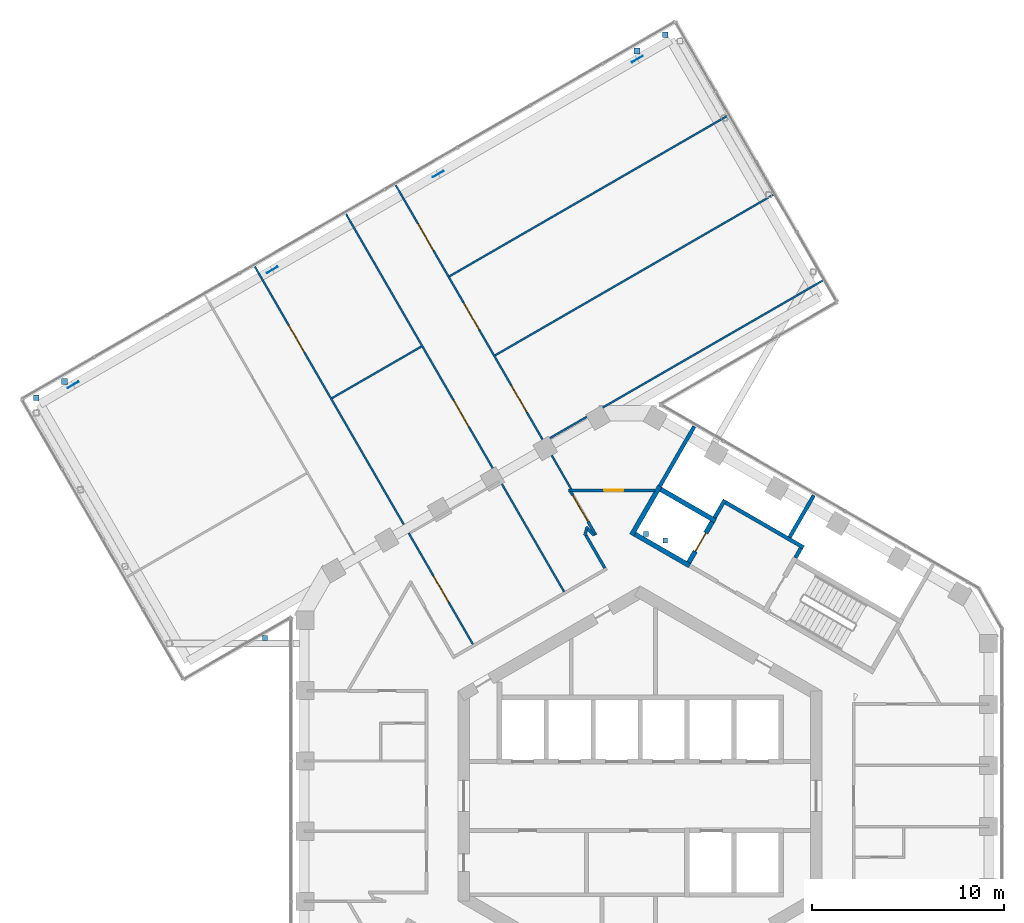
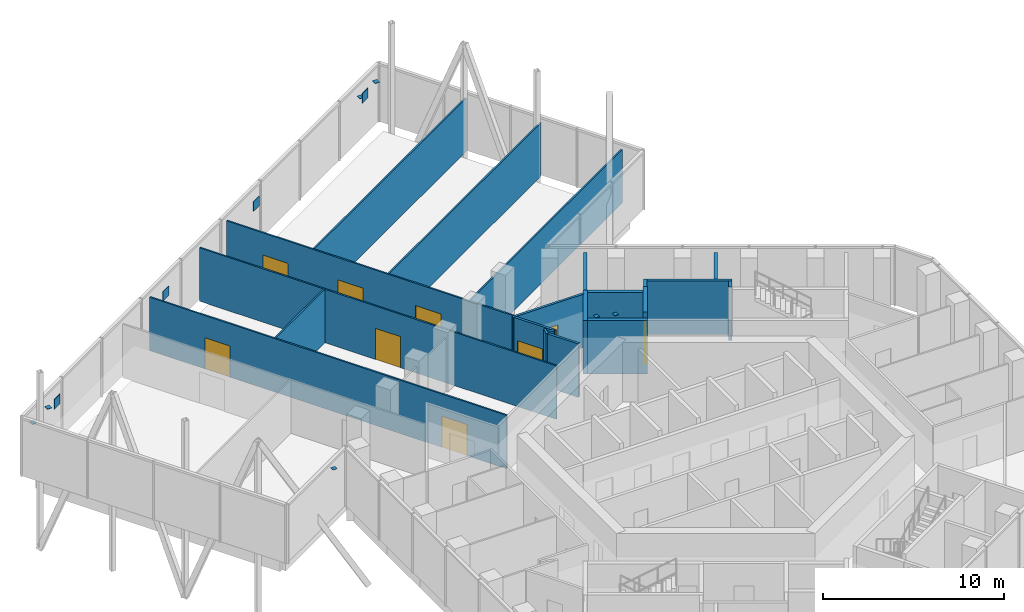
# One storey, part 18 of 21: 21 walls, 11 discrete accessories, 9 doors, 9 openings.
"""IFC4 building model written with IfcOpenShell, lengths in metres."""

from ifc_helpers import new_model, si_unit, direction, frame, frame_2d, origin, origin_2d, place, context, subcontext, project, spatial, rectangle, extrude, material, layer, layer_set, type_object, element, fill, save


model = new_model("IFC4")

# Units and contexts
model_context = context("Model", 3, precision=1e-05, world=origin(), true_north=direction((0.0, 1.0)))
body_context = subcontext(model_context, "Body", "Model", "MODEL_VIEW")
ifc_project = project(units=[si_unit("LENGTHUNIT", "METRE"), si_unit("AREAUNIT", "SQUARE_METRE"), si_unit("VOLUMEUNIT", "CUBIC_METRE"), si_unit("PLANEANGLEUNIT", "RADIAN"), si_unit("MASSUNIT", "GRAM", prefix="KILO")], contexts=[model_context])

# Site, building, storey
site_placement = place(None, origin())
site = spatial("IfcSite", under=ifc_project, at=site_placement, CompositionType="ELEMENT")
building_placement = place(site_placement, origin())
building = spatial("IfcBuilding", under=site, at=building_placement, Name="Ayvan Gate Tower", CompositionType="ELEMENT")
storey_placement = place(building_placement, frame((0.0, 0.0, 190.699951171875)))
storey = spatial("IfcBuildingStorey", under=building, at=storey_placement, Name="L51", CompositionType="ELEMENT", Elevation=190.699951171875)

# Wall, opening, door
ifc_material_1 = material(Name="Plasterboard on steel stud", Category="steel")
ifc_layer_1 = layer(ifc_material_1, 0.14990234375)
ifc_layer_set_1 = layer_set([ifc_layer_1], Name="Plasterboard on steel stud")
wall_type_1 = type_object("IfcWallType", Name="WT-CORR-150", PredefinedType="PARTITIONING", material=ifc_layer_set_1)
wall_1_placement = place(storey_placement, frame((-3.741455078125, 15.952880859375, 0.0), z_axis=(0.0, 0.0, 1.0), x_axis=(1.0, 0.0, 0.0)))
wall_1 = element("IfcWall", 1, at=wall_1_placement, inside=storey, type_object=wall_type_1, Name="IW-L51-043", PredefinedType="PARTITIONING", context=body_context, shape_type="SweptSolid", body=[
    extrude(rectangle(XDim=4.512939453125, YDim=0.14990234375, at=frame_2d((2.25634765625, 0.0))), origin(), (0.0, 0.0, 1.0), 3.60009765625),
])
opening_1_placement = place(wall_1_placement, frame((1.861083984375, 0.0, 0.0)))
opening_1 = element("IfcOpeningElement", 2, at=opening_1_placement, cuts=wall_1, Name="Opening L51-D36", PredefinedType="OPENING", context=body_context, shape_type="SweptSolid", body=[
    extrude(rectangle(XDim=1.0, YDim=2.10009765625, at=frame_2d((0.5, 1.050048828125))), frame((0.0, 0.0849609375, 0.0), z_axis=(0.0, -1.0, 0.0), x_axis=(1.0, 0.0, 0.0)), (0.0, 0.0, 1.0), 0.169921875),
])
ifc_material_2 = material(Name="Timber door leaf", Category="wood")
door_type_1 = type_object("IfcDoorType", Name="DT-1000", OperationType="NOTDEFINED", PredefinedType="DOOR", material=ifc_material_2)
door_1_placement = place(opening_1_placement, origin())
door_1 = element("IfcDoor", 3, at=door_1_placement, inside=storey, type_object=door_type_1, Name="ID-L51-036", OperationType="SINGLE_SWING_LEFT", OverallHeight=2.10009765625, OverallWidth=1.0, PredefinedType="DOOR", context=body_context, shape_type="SweptSolid", body=[
    extrude(rectangle(XDim=1.0, YDim=2.10009765625, at=frame_2d((0.5, 1.050048828125))), frame((0.0, 0.02490234375, 0.0), z_axis=(0.0, -1.0, 0.0), x_axis=(1.0, 0.0, 0.0)), (0.0, 0.0, 1.0), 0.050048828125),
])
fill(opening_1, door_1)

# Walls
wall_2_placement = place(storey_placement, frame((-2.891845703125, 13.603515625, 0.0), z_axis=(0.0, 0.0, 1.0), x_axis=(0.273711184951, 0.961811929242, 0.0)))
element("IfcWall", 4, at=wall_2_placement, inside=storey, type_object=wall_type_1, Name="IW-L51-045", PredefinedType="PARTITIONING", context=body_context, shape_type="SweptSolid", body=[
    extrude(rectangle(XDim=0.47900390625, YDim=0.14990234375, at=frame_2d((0.239501953125, 0.0))), origin(), (0.0, 0.0, 1.0), 3.60009765625),
])
wall_3_placement = place(storey_placement, frame((-2.729248046875, 13.93798828125, 0.0), z_axis=(0.0, 0.0, 1.0), x_axis=(0.69403568818, -0.719940597225, 0.0)))
element("IfcWall", 5, at=wall_3_placement, inside=storey, type_object=wall_type_1, Name="IW-L51-048", PredefinedType="PARTITIONING", context=body_context, shape_type="SweptSolid", body=[
    extrude(rectangle(XDim=0.452392578125, YDim=0.14990234375, at=frame_2d((0.22607421875, 0.0))), origin(), (0.0, 0.0, 1.0), 3.60009765625),
])

# Wall, opening, door
wall_4_placement = place(storey_placement, frame((-2.324462890625, 13.62841796875, 0.0), z_axis=(0.0, 0.0, 1.0), x_axis=(-0.499973559465, 0.866040668696, 0.0)))
wall_4 = element("IfcWall", 6, at=wall_4_placement, inside=storey, type_object=wall_type_1, Name="IW-L51-054", PredefinedType="PARTITIONING", context=body_context, shape_type="SweptSolid", body=[
    extrude(rectangle(XDim=2.609130859375, YDim=0.14990234375, at=frame_2d((1.3046875, 0.0))), origin(), (0.0, 0.0, 1.0), 3.60009765625),
])
opening_2_placement = place(wall_4_placement, frame((0.8046875, 0.0, 0.0)))
opening_2 = element("IfcOpeningElement", 7, at=opening_2_placement, cuts=wall_4, Name="Opening L51-D34", PredefinedType="OPENING", context=body_context, shape_type="SweptSolid", body=[
    extrude(rectangle(XDim=1.60009765625, YDim=2.10009765625, at=frame_2d((0.800048828125, 1.050048828125))), frame((0.0, 0.0849609375, 0.0), z_axis=(0.0, -1.0, 0.0), x_axis=(1.0, 0.0, 0.0)), (0.0, 0.0, 1.0), 0.169921875),
])
door_type_2 = type_object("IfcDoorType", Name="DT-1600", OperationType="NOTDEFINED", PredefinedType="DOOR", material=ifc_material_2)
door_2_placement = place(opening_2_placement, origin())
door_2 = element("IfcDoor", 8, at=door_2_placement, inside=storey, type_object=door_type_2, Name="ID-L51-034", OperationType="SINGLE_SWING_LEFT", OverallHeight=2.10009765625, OverallWidth=1.60009765625, PredefinedType="DOOR", context=body_context, shape_type="SweptSolid", body=[
    extrude(rectangle(XDim=1.60009765625, YDim=2.10009765625, at=frame_2d((0.800048828125, 1.050048828125))), frame((0.0, 0.02490234375, 0.0), z_axis=(0.0, -1.0, 0.0), x_axis=(1.0, 0.0, 0.0)), (0.0, 0.0, 1.0), 0.050048828125),
])
fill(opening_2, door_2)

# Wall
wall_5_placement = place(storey_placement, frame((-1.84423828125, 11.896728515625, 0.0), z_axis=(0.0, 0.0, 1.0), x_axis=(-0.500039200885, 0.86600276996, 0.0)))
element("IfcWall", 9, at=wall_5_placement, inside=storey, type_object=wall_type_1, Name="IW-L51-056", PredefinedType="PARTITIONING", context=body_context, shape_type="SweptSolid", body=[
    extrude(rectangle(XDim=1.979248046875, YDim=0.14990234375, at=frame_2d((0.98974609375, 0.0))), origin(), (0.0, 0.0, 1.0), 3.60009765625),
])

# Wall, openings, doors
ifc_layer_2 = layer(ifc_material_1, 0.10009765625)
ifc_layer_set_2 = layer_set([ifc_layer_2], Name="Plasterboard on steel stud")
wall_type_2 = type_object("IfcWallType", Name="WT-PART-100", PredefinedType="PARTITIONING", material=ifc_layer_set_2)
wall_6_placement = place(storey_placement, frame((-20.10986328125, 27.629150390625, 0.0), z_axis=(0.0, 0.0, 1.0), x_axis=(0.499998569178, -0.866026229868, 0.0)))
wall_6 = element("IfcWall", 10, at=wall_6_placement, inside=storey, type_object=wall_type_2, Name="IW-L51-001", PredefinedType="PARTITIONING", context=body_context, shape_type="SweptSolid", body=[
    extrude(rectangle(XDim=22.75732421875, YDim=0.10009765625, at=frame_2d((11.378662109375, 0.0))), origin(), (0.0, 0.0, 1.0), 3.60009765625),
])
opening_3_placement = place(wall_6_placement, frame((18.635498046875, 0.0, 0.0)))
opening_3 = element("IfcOpeningElement", 11, at=opening_3_placement, cuts=wall_6, Name="Opening L51-D42", PredefinedType="OPENING", context=body_context, shape_type="SweptSolid", body=[
    extrude(rectangle(XDim=1.60009765625, YDim=2.10009765625, at=frame_2d((0.800048828125, 1.050048828125))), frame((0.0, 0.06005859375, 0.0), z_axis=(0.0, -1.0, 0.0), x_axis=(1.0, 0.0, 0.0)), (0.0, 0.0, 1.0), 0.1201171875),
])
opening_4_placement = place(wall_6_placement, frame((3.534912109375, 0.0, 0.0)))
opening_4 = element("IfcOpeningElement", 12, at=opening_4_placement, cuts=wall_6, Name="Opening L51-D44", PredefinedType="OPENING", context=body_context, shape_type="SweptSolid", body=[
    extrude(rectangle(XDim=1.60009765625, YDim=2.10009765625, at=frame_2d((0.800048828125, 1.050048828125))), frame((0.0, 0.06005859375, 0.0), z_axis=(0.0, -1.0, 0.0), x_axis=(1.0, 0.0, 0.0)), (0.0, 0.0, 1.0), 0.1201171875),
])
door_3_placement = place(opening_3_placement, origin())
door_3 = element("IfcDoor", 13, at=door_3_placement, inside=storey, type_object=door_type_2, Name="ID-L51-042", OperationType="SINGLE_SWING_LEFT", OverallHeight=2.10009765625, OverallWidth=1.60009765625, PredefinedType="DOOR", context=body_context, shape_type="SweptSolid", body=[
    extrude(rectangle(XDim=1.60009765625, YDim=2.10009765625, at=frame_2d((0.800048828125, 1.050048828125))), frame((0.0, 0.02490234375, 0.0), z_axis=(0.0, -1.0, 0.0), x_axis=(1.0, 0.0, 0.0)), (0.0, 0.0, 1.0), 0.050048828125),
])
fill(opening_3, door_3)
door_4_placement = place(opening_4_placement, origin())
door_4 = element("IfcDoor", 14, at=door_4_placement, inside=storey, type_object=door_type_2, Name="ID-L51-044", OperationType="SINGLE_SWING_LEFT", OverallHeight=2.10009765625, OverallWidth=1.60009765625, PredefinedType="DOOR", context=body_context, shape_type="SweptSolid", body=[
    extrude(rectangle(XDim=1.60009765625, YDim=2.10009765625, at=frame_2d((0.800048828125, 1.050048828125))), frame((0.0, 0.02490234375, 0.0), z_axis=(0.0, -1.0, 0.0), x_axis=(1.0, 0.0, 0.0)), (0.0, 0.0, 1.0), 0.050048828125),
])
fill(opening_4, door_4)

# Wall
wall_7_placement = place(storey_placement, frame((-16.08984375, 20.76611328125, 0.0), z_axis=(0.0, 0.0, 1.0), x_axis=(0.866008413041, 0.500029427677, 0.0)))
element("IfcWall", 15, at=wall_7_placement, inside=storey, type_object=wall_type_2, Name="IW-L51-004", PredefinedType="PARTITIONING", context=body_context, shape_type="SweptSolid", body=[
    extrude(rectangle(XDim=5.392822265625, YDim=0.10009765625, at=frame_2d((2.6962890625, 0.0))), origin(), (0.0, 0.0, 1.0), 3.60009765625),
])

# Wall, openings, doors
wall_8_placement = place(storey_placement, frame((-12.7548828125, 31.87548828125, 0.0), z_axis=(0.0, 0.0, 1.0), x_axis=(0.49999367972, -0.866029052769, 0.0)))
wall_8 = element("IfcWall", 16, at=wall_8_placement, inside=storey, type_object=wall_type_2, Name="IW-L51-017", PredefinedType="PARTITIONING", context=body_context, shape_type="SweptSolid", body=[
    extrude(rectangle(XDim=18.310791015625, YDim=0.10009765625, at=frame_2d((9.1552734375, 0.0))), origin(), (0.0, 0.0, 1.0), 3.60009765625),
])
opening_5_placement = place(wall_8_placement, frame((12.060302734375, 0.0, 0.0)))
opening_5 = element("IfcOpeningElement", 17, at=opening_5_placement, cuts=wall_8, Name="Opening L51-D37", PredefinedType="OPENING", context=body_context, shape_type="SweptSolid", body=[
    extrude(rectangle(XDim=1.60009765625, YDim=2.10009765625, at=frame_2d((0.800048828125, 1.050048828125))), frame((0.0, 0.06005859375, 0.0), z_axis=(0.0, -1.0, 0.0), x_axis=(1.0, 0.0, 0.0)), (0.0, 0.0, 1.0), 0.1201171875),
])
opening_6_placement = place(wall_8_placement, frame((7.093017578125, 0.0, 0.0)))
opening_6 = element("IfcOpeningElement", 18, at=opening_6_placement, cuts=wall_8, Name="Opening L51-D38", PredefinedType="OPENING", context=body_context, shape_type="SweptSolid", body=[
    extrude(rectangle(XDim=1.60009765625, YDim=2.10009765625, at=frame_2d((0.800048828125, 1.050048828125))), frame((0.0, 0.06005859375, 0.0), z_axis=(0.0, -1.0, 0.0), x_axis=(1.0, 0.0, 0.0)), (0.0, 0.0, 1.0), 0.1201171875),
])
opening_7_placement = place(wall_8_placement, frame((2.3134765625, 0.0, 0.0)))
opening_7 = element("IfcOpeningElement", 19, at=opening_7_placement, cuts=wall_8, Name="Opening L51-D39", PredefinedType="OPENING", context=body_context, shape_type="SweptSolid", body=[
    extrude(rectangle(XDim=1.60009765625, YDim=2.10009765625, at=frame_2d((0.800048828125, 1.050048828125))), frame((0.0, 0.06005859375, 0.0), z_axis=(0.0, -1.0, 0.0), x_axis=(1.0, 0.0, 0.0)), (0.0, 0.0, 1.0), 0.1201171875),
])
door_5_placement = place(opening_5_placement, origin())
door_5 = element("IfcDoor", 20, at=door_5_placement, inside=storey, type_object=door_type_2, Name="ID-L51-037", OperationType="SINGLE_SWING_RIGHT", OverallHeight=2.10009765625, OverallWidth=1.60009765625, PredefinedType="DOOR", context=body_context, shape_type="SweptSolid", body=[
    extrude(rectangle(XDim=1.60009765625, YDim=2.10009765625, at=frame_2d((0.800048828125, 1.050048828125))), frame((0.0, 0.02490234375, 0.0), z_axis=(0.0, -1.0, 0.0), x_axis=(1.0, 0.0, 0.0)), (0.0, 0.0, 1.0), 0.050048828125),
])
fill(opening_5, door_5)
door_6_placement = place(opening_6_placement, origin())
door_6 = element("IfcDoor", 21, at=door_6_placement, inside=storey, type_object=door_type_2, Name="ID-L51-038", OperationType="SINGLE_SWING_LEFT", OverallHeight=2.10009765625, OverallWidth=1.60009765625, PredefinedType="DOOR", context=body_context, shape_type="SweptSolid", body=[
    extrude(rectangle(XDim=1.60009765625, YDim=2.10009765625, at=frame_2d((0.800048828125, 1.050048828125))), frame((0.0, 0.02490234375, 0.0), z_axis=(0.0, -1.0, 0.0), x_axis=(1.0, 0.0, 0.0)), (0.0, 0.0, 1.0), 0.050048828125),
])
fill(opening_6, door_6)
door_7_placement = place(opening_7_placement, origin())
door_7 = element("IfcDoor", 22, at=door_7_placement, inside=storey, type_object=door_type_2, Name="ID-L51-039", OperationType="SINGLE_SWING_RIGHT", OverallHeight=2.10009765625, OverallWidth=1.60009765625, PredefinedType="DOOR", context=body_context, shape_type="SweptSolid", body=[
    extrude(rectangle(XDim=1.60009765625, YDim=2.10009765625, at=frame_2d((0.800048828125, 1.050048828125))), frame((0.0, 0.02490234375, 0.0), z_axis=(0.0, -1.0, 0.0), x_axis=(1.0, 0.0, 0.0)), (0.0, 0.0, 1.0), 0.050048828125),
])
fill(opening_7, door_7)

# Wall, opening, door
wall_9_placement = place(storey_placement, frame((-15.35302734375, 30.37548828125, 0.0), z_axis=(0.0, 0.0, 1.0), x_axis=(0.499998569178, -0.866026229868, 0.0)))
wall_9 = element("IfcWall", 23, at=wall_9_placement, inside=storey, type_object=wall_type_2, Name="IW-L51-021", PredefinedType="PARTITIONING", context=body_context, shape_type="SweptSolid", body=[
    extrude(rectangle(XDim=22.75732421875, YDim=0.10009765625, at=frame_2d((11.378662109375, 0.0))), origin(), (0.0, 0.0, 1.0), 3.60009765625),
])
opening_8_placement = place(wall_9_placement, frame((11.218505859375, 0.0, 0.0)))
opening_8 = element("IfcOpeningElement", 24, at=opening_8_placement, cuts=wall_9, Name="Opening L51-D43", PredefinedType="OPENING", context=body_context, shape_type="SweptSolid", body=[
    extrude(rectangle(XDim=1.60009765625, YDim=2.10009765625, at=frame_2d((0.800048828125, 1.050048828125))), frame((0.0, 0.06005859375, 0.0), z_axis=(0.0, -1.0, 0.0), x_axis=(1.0, 0.0, 0.0)), (0.0, 0.0, 1.0), 0.1201171875),
])
door_8_placement = place(opening_8_placement, origin())
door_8 = element("IfcDoor", 25, at=door_8_placement, inside=storey, type_object=door_type_2, Name="ID-L51-043", OperationType="SINGLE_SWING_RIGHT", OverallHeight=2.10009765625, OverallWidth=1.60009765625, PredefinedType="DOOR", context=body_context, shape_type="SweptSolid", body=[
    extrude(rectangle(XDim=1.60009765625, YDim=2.10009765625, at=frame_2d((0.800048828125, 1.050048828125))), frame((0.0, 0.02490234375, 0.0), z_axis=(0.0, -1.0, 0.0), x_axis=(1.0, 0.0, 0.0)), (0.0, 0.0, 1.0), 0.050048828125),
])
fill(opening_8, door_8)

# Walls
for number, where, z_axis, x_axis, name in (
    (26, (-9.956298828125, 27.128173828125, 0.0), (0.0, 0.0, 1.0), (0.866025916125, 0.499999112599, 0.0), "IW-L51-026"),
    (27, (-7.573974609375, 23.001708984375, 0.0), (0.0, 0.0, 1.0), (0.866025916125, 0.499999112599, 0.0), "IW-L51-034"),
    (28, (-4.989013671875, 18.5244140625, 0.0), (0.0, 0.0, 1.0), (0.866025916125, 0.499999112599, 0.0), "IW-L51-040"),
):
    element("IfcWall", number, at=place(storey_placement, frame(where, z_axis=z_axis, x_axis=x_axis)), inside=storey, type_object=wall_type_2, Name=name, PredefinedType="PARTITIONING", context=body_context, shape_type="SweptSolid", body=[
        extrude(rectangle(XDim=16.75439453125, YDim=0.10009765625, at=frame_2d((8.377197265625, 0.0))), origin(), (0.0, 0.0, 1.0), 3.60009765625),
    ])
ifc_layer_3 = layer(ifc_material_1, 0.199951171875)
ifc_layer_set_3 = layer_set([ifc_layer_3], Name="Plasterboard on steel stud")
wall_type_3 = type_object("IfcWallType", Name="WT-PLUMB-200", PredefinedType="PLUMBINGWALL", material=ifc_layer_set_3)
wall_10_placement = place(storey_placement, frame((1.027099609375, 16.178955078125, 0.0), z_axis=(0.0, 0.0, 1.0), x_axis=(0.499988999718, 0.866031754707, 0.0)))
element("IfcWall", 29, at=wall_10_placement, inside=storey, type_object=wall_type_3, Name="IW-L51-067", PredefinedType="PLUMBINGWALL", context=body_context, shape_type="SweptSolid", body=[
    extrude(rectangle(XDim=3.59423828125, YDim=0.199951171875, at=frame_2d((1.797119140625, 0.0))), origin(), (0.0, 0.0, 1.0), 3.60009765625),
])
wall_11_placement = place(storey_placement, frame((3.885009765625, 14.52880859375, 0.0), z_axis=(0.0, 0.0, 1.0), x_axis=(0.499997628298, 0.866026773083, 0.0)))
element("IfcWall", 30, at=wall_11_placement, inside=storey, type_object=wall_type_3, Name="IW-L51-078", PredefinedType="PLUMBINGWALL", context=body_context, shape_type="SweptSolid", body=[
    extrude(rectangle(XDim=1.0751953125, YDim=0.199951171875, at=frame_2d((0.53759765625, 0.0))), origin(), (0.0, 0.0, 1.0), 3.60009765625),
])
wall_12_placement = place(storey_placement, frame((4.458984375, 15.323486328125, 0.0), z_axis=(0.0, 0.0, 1.0), x_axis=(0.866016039709, -0.500016218704, 0.0)))
element("IfcWall", 31, at=wall_12_placement, inside=storey, type_object=wall_type_3, Name="IW-L51-079", PredefinedType="PLUMBINGWALL", context=body_context, shape_type="SweptSolid", body=[
    extrude(rectangle(XDim=4.699951171875, YDim=0.199951171875, at=frame_2d((2.35009765625, 0.0))), origin(), (0.0, 0.0, 1.0), 3.60009765625),
])
wall_13_placement = place(storey_placement, frame((7.800048828125, 13.510009765625, 0.0), z_axis=(0.0, 0.0, 1.0), x_axis=(0.499985316883, 0.86603388092, 0.0)))
element("IfcWall", 32, at=wall_13_placement, inside=storey, type_object=wall_type_3, Name="IW-L51-093", PredefinedType="PLUMBINGWALL", context=body_context, shape_type="SweptSolid", body=[
    extrude(rectangle(XDim=2.51904296875, YDim=0.199951171875, at=frame_2d((1.259521484375, 0.0))), origin(), (0.0, 0.0, 1.0), 3.60009765625),
])
wall_14_placement = place(storey_placement, frame((8.392822265625, 12.936767578125, 0.0), z_axis=(0.0, 0.0, 1.0), x_axis=(-0.500065409566, -0.86598763626, 0.0)))
element("IfcWall", 33, at=wall_14_placement, inside=storey, type_object=wall_type_3, Name="IW-L51-095", PredefinedType="PLUMBINGWALL", context=body_context, shape_type="SweptSolid", body=[
    extrude(rectangle(XDim=0.5751953125, YDim=0.199951171875, at=frame_2d((0.28759765625, 0.0))), origin(), (0.0, 0.0, 1.0), 3.60009765625),
])
ifc_material_3 = material(Name="Concrete C50/60", Category="concrete")
ifc_layer_4 = layer(ifc_material_3, 0.25)
ifc_layer_set_4 = layer_set([ifc_layer_4], Name="Concrete C50/60")
wall_type_4 = type_object("IfcWallType", Name="WT-RC-250", PredefinedType="SHEAR", material=ifc_layer_set_4)
wall_15_placement = place(storey_placement, frame((-0.447998046875, 13.624267578125, 0.0), z_axis=(0.0, 0.0, 1.0), x_axis=(0.500037662692, 0.866003658127, 0.0)))
element("IfcWall", 34, at=wall_15_placement, inside=storey, type_object=wall_type_4, Name="IW-L51-062", PredefinedType="SHEAR", context=body_context, shape_type="SweptSolid", body=[
    extrude(rectangle(XDim=2.949951171875, YDim=0.25, at=frame_2d((1.47509765625, 0.0))), origin(), (0.0, 0.0, 1.0), 3.60009765625),
])
for number, where, z_axis, x_axis, name in (
    (35, (1.072998046875, 16.00830078125, 0.0), (0.0, 0.0, 1.0), (0.866040211805, -0.499974350878, 0.0), "IW-L51-068"),
    (36, (2.580810546875, 12.02001953125, 0.0), (0.0, 0.0, 1.0), (-0.866040211805, 0.499974350878, 0.0), "IW-L51-074"),
):
    element("IfcWall", number, at=place(storey_placement, frame(where, z_axis=z_axis, x_axis=x_axis)), inside=storey, type_object=wall_type_4, Name=name, PredefinedType="SHEAR", context=body_context, shape_type="SweptSolid", body=[
        extrude(rectangle(XDim=3.300048828125, YDim=0.25, at=frame_2d((1.64990234375, 0.0))), origin(), (0.0, 0.0, 1.0), 3.60009765625),
    ])

# Wall, opening, door
wall_16_placement = place(storey_placement, frame((2.534912109375, 12.19091796875, 0.0), z_axis=(0.0, 0.0, 1.0), x_axis=(0.500061746146, 0.865989751695, 0.0)))
wall_16 = element("IfcWall", 37, at=wall_16_placement, inside=storey, type_object=wall_type_4, Name="IW-L51-075", PredefinedType="SHEAR", context=body_context, shape_type="SweptSolid", body=[
    extrude(rectangle(XDim=2.449951171875, YDim=0.25, at=frame_2d((1.22509765625, 0.0))), origin(), (0.0, 0.0, 1.0), 4.0),
])
opening_9_placement = place(wall_16_placement, frame((0.675048828125, 0.0, 0.0)))
opening_9 = element("IfcOpeningElement", 38, at=opening_9_placement, cuts=wall_16, Name="Opening L51-LD-FF1", PredefinedType="OPENING", context=body_context, shape_type="SweptSolid", body=[
    extrude(rectangle(XDim=1.10009765625, YDim=2.10009765625, at=frame_2d((0.550048828125, 1.050048828125))), frame((0.0, 0.135009765625, 0.0), z_axis=(0.0, -1.0, 0.0), x_axis=(1.0, 0.0, 0.0)), (0.0, 0.0, 1.0), 0.27001953125),
])
ifc_material_4 = material(Name="Stainless steel landing door", Category="steel")
door_type_3 = type_object("IfcDoorType", Name="DT-LANDING-1100", OperationType="SLIDING_TO_LEFT", PredefinedType="DOOR", material=ifc_material_4)
door_9_placement = place(opening_9_placement, origin())
door_9 = element("IfcDoor", 39, at=door_9_placement, inside=storey, type_object=door_type_3, Name="ID-L51-013", OperationType="SLIDING_TO_LEFT", OverallHeight=2.10009765625, OverallWidth=1.10009765625, PredefinedType="DOOR", context=body_context, shape_type="SweptSolid", body=[
    extrude(rectangle(XDim=1.10009765625, YDim=2.10009765625, at=frame_2d((0.550048828125, 1.050048828125))), frame((0.0, 0.02490234375, 0.0), z_axis=(0.0, -1.0, 0.0), x_axis=(1.0, 0.0, 0.0)), (0.0, 0.0, 1.0), 0.050048828125),
])
fill(opening_9, door_9)

# Discrete accessories
ifc_material_5 = material(Name="Steel S460ML", Category="steel")
ifc_layer_5 = layer(ifc_material_5, 0.034912109375)
ifc_layer_set_5 = layer_set([ifc_layer_5], Name="Steel S460ML")
discrete_accessory_type_1 = type_object("IfcDiscreteAccessoryType", Name="Gusset plate 35 mm", PredefinedType="BRACKET", material=ifc_layer_set_5)
for number, where, z_axis, x_axis, name in (
    (40, (-10.54443359375, 32.463623046875, 3.27490234375), (0.0, 0.0, 1.0), (0.866025403784, 0.5, 0.0), "Gusset plate EXO-B4-D1A"),
    (41, (-0.152099609375, 38.463623046875, 3.27490234375), (0.0, 0.0, 1.0), (0.866025403784, 0.5, 0.0), "Gusset plate EXO-B4-D1B"),
    (42, (-19.20458984375, 27.463623046875, 3.27490234375), (0.0, 0.0, 1.0), (0.866025403784, 0.5, 0.0), "Gusset plate EXO-B4-D2A"),
    (43, (-29.596923828125, 21.463623046875, 3.27490234375), (0.0, 0.0, 1.0), (0.866025403784, 0.5, 0.0), "Gusset plate EXO-B4-D3A"),
):
    element("IfcDiscreteAccessory", number, at=place(storey_placement, frame(where, z_axis=z_axis, x_axis=x_axis)), inside=storey, type_object=discrete_accessory_type_1, Name=name, PredefinedType="BRACKET", context=body_context, shape_type="SweptSolid", body=[
        extrude(rectangle(XDim=0.650146484375, YDim=0.034912109375, at=origin_2d()), origin(), (0.0, 0.0, 1.0), 0.650146484375),
    ])
ifc_layer_6 = layer(ifc_material_5, 0.02001953125)
ifc_layer_set_6 = layer_set([ifc_layer_6], Name="Steel S460ML")
discrete_accessory_type_2 = type_object("IfcDiscreteAccessoryType", Name="Sky bar end cap plate", PredefinedType="BRACKET", material=ifc_layer_set_6)
for number, where, z_axis, x_axis, name in (
    (44, (1.308349609375, 13.33349609375, 3.60009765625), (0.0, 0.0, 1.0), (1.0, 0.0, 0.0), "End cap SBT4-1-U-1:EC"),
    (45, (0.297607421875, 13.6845703125, 3.60009765625), (0.0, 0.0, 1.0), (1.0, 0.0, 0.0), "End cap SBT4-2-U-1:EC"),
    (46, (-19.577392578125, 8.2431640625, 3.60009765625), (0.0, 0.0, 1.0), (1.0, 0.0, 0.0), "End cap SBT4-4-U-4:EC"),
):
    element("IfcDiscreteAccessory", number, at=place(storey_placement, frame(where, z_axis=z_axis, x_axis=x_axis)), inside=storey, type_object=discrete_accessory_type_2, Name=name, PredefinedType="BRACKET", context=body_context, shape_type="SweptSolid", body=[
        extrude(rectangle(XDim=0.260009765625, YDim=0.260009765625, at=origin_2d()), origin(), (0.0, 0.0, 1.0), 0.02001953125),
    ])
for number, where, z_axis, x_axis, name in (
    (47, (-31.51904296875, 20.79248046875, 3.25), (0.0, 0.0, 1.0), (1.0, 0.0, 0.0), "End cap SBX4-C-P-1:EC1"),
    (48, (-30.046875, 21.642578125, 3.25), (0.0, 0.0, 1.0), (1.0, 0.0, 0.0), "End cap SBX4-C-P-2:EC1"),
    (49, (-0.1689453125, 38.892578125, 3.25), (0.0, 0.0, 1.0), (1.0, 0.0, 0.0), "End cap SBX4-C-P-3:EC1"),
    (50, (1.30322265625, 39.74267578125, 3.25), (0.0, 0.0, 1.0), (1.0, 0.0, 0.0), "End cap SBX4-C-P-4:EC1"),
):
    element("IfcDiscreteAccessory", number, at=place(storey_placement, frame(where, z_axis=z_axis, x_axis=x_axis)), inside=storey, type_object=discrete_accessory_type_2, Name=name, PredefinedType="BRACKET", context=body_context, shape_type="SweptSolid", body=[
        extrude(rectangle(XDim=0.300048828125, YDim=0.300048828125, at=origin_2d()), origin(), (0.0, 0.0, 1.0), 0.02001953125),
    ])

save(model, "model.ifc")
